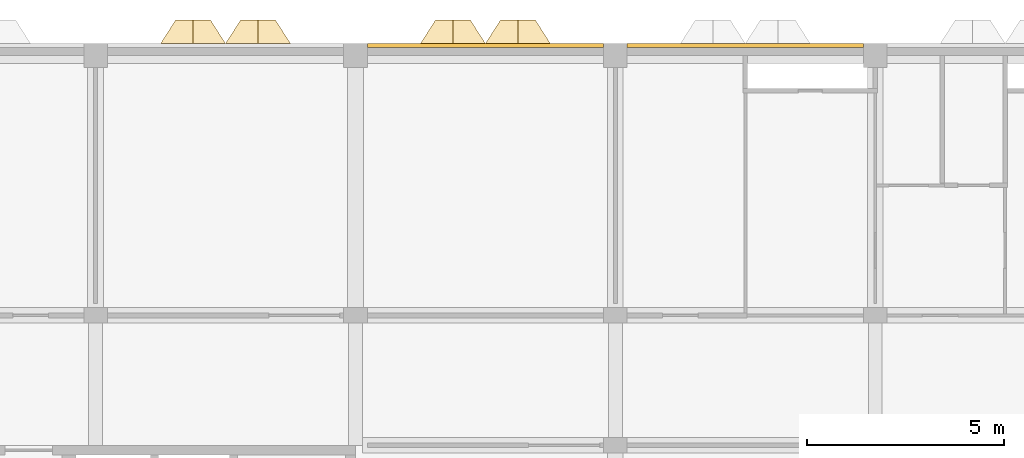
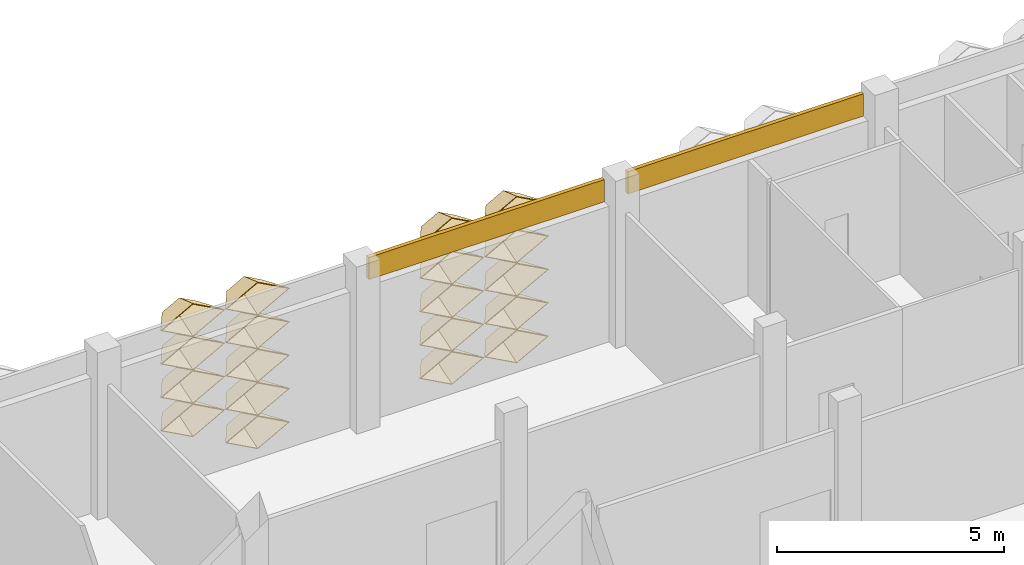
# One storey, part 96 of 102: 21 coverings.
"""IFC4 building model written with IfcOpenShell, lengths in metres."""

from ifc_helpers import new_model, entity, si_unit, direction, frame, frame_2d, origin, place, context, subcontext, project, spatial, rectangle, extrude, material, layer, layer_set, type_object, element, save


model = new_model("IFC4")

# Units and contexts
model_context = context("Model", 3, precision=1e-05, world=origin(), true_north=direction((0.0, 1.0)))
body_context = subcontext(model_context, "Body", "Model", "MODEL_VIEW")
ifc_project = project(units=[si_unit("LENGTHUNIT", "METRE"), si_unit("AREAUNIT", "SQUARE_METRE"), si_unit("VOLUMEUNIT", "CUBIC_METRE"), si_unit("PLANEANGLEUNIT", "RADIAN"), si_unit("MASSUNIT", "GRAM", prefix="KILO")], contexts=[model_context])

# Site, building, storey
site_placement = place(None, origin())
site = spatial("IfcSite", under=ifc_project, at=site_placement, CompositionType="ELEMENT")
building_placement = place(site_placement, origin())
building = spatial("IfcBuilding", under=site, at=building_placement, Name="Lantern Court Research Institute", CompositionType="ELEMENT")
storey_placement = place(building_placement, frame((0.0, 0.0, 9.89990234375)))
storey = spatial("IfcBuildingStorey", under=building, at=storey_placement, Name="L02", CompositionType="ELEMENT", Elevation=9.89990234375)

# Coverings
ifc_material_1 = material(Name="Aluminium composite panel with mineral wool insulation", Category="aluminium")
ifc_layer_1 = layer(ifc_material_1, 0.10009765625)
ifc_layer_set_1 = layer_set([ifc_layer_1], Name="Aluminium composite panel with mineral wool insulation")
covering_type_1 = type_object("IfcCoveringType", Name="Edge fascia panel 100 aluminium faced", PredefinedType="CLADDING", material=ifc_layer_set_1)
for number, where, z_axis, x_axis, name in (
    (1, (53.10009765625, 99.25, 3.650146484375), (0.0, 0.0, 1.0), (1.0, 0.0, 0.0), "Edge fascia V6N L02 08"),
    (2, (59.699951171875, 99.25, 3.650146484375), (0.0, 0.0, 1.0), (1.0, 0.0, 0.0), "Edge fascia V6N L02 09"),
):
    element("IfcCovering", number, at=place(storey_placement, frame(where, z_axis=z_axis, x_axis=x_axis)), inside=storey, type_object=covering_type_1, Name=name, PredefinedType="CLADDING", context=body_context, shape_type="SweptSolid", body=[
        extrude(rectangle(XDim=6.0, YDim=0.10009765625, at=frame_2d((3.0, 0.0))), origin(), (0.0, 0.0, 1.0), 0.599853515625),
    ])
ifc_material_2 = material(Name="Anodised aluminium", Category="aluminium")
ifc_layer_2 = layer(ifc_material_2, 0.01611328125)
ifc_layer_set_2 = layer_set([ifc_layer_2], Name="Anodised aluminium")
covering_type_2 = type_object("IfcCoveringType", Name="Fin cassette 1650 x 900 x 600 aluminium", PredefinedType="CLADDING", material=ifc_layer_set_2)
covering_1_placement = place(storey_placement, frame((50.324951171875, 99.300048828125, 0.4501953125), z_axis=(0.0, 1.0, 0.0), x_axis=(-1.0, 0.0, 0.0)))
cartesian_point_1 = entity("IfcCartesianPoint", [0.824951171875, 0.0])
cartesian_point_2 = entity("IfcCartesianPoint", [0.79150390625, 0.0])
cartesian_point_3 = entity("IfcCartesianPoint", [0.44189453125, 0.0])
cartesian_point_4 = entity("IfcCartesianPoint", [0.43359375, 0.0])
element("IfcCovering", 3, at=covering_1_placement, inside=storey, type_object=covering_type_2, Name="Fin cassette V6N-L02 1.31", PredefinedType="CLADDING", context=body_context, shape_type="SweptSolid", body=[
    entity("IfcExtrudedAreaSolidTapered", entity("IfcArbitraryProfileDefWithVoids", "AREA", None, entity("IfcPolyline", [cartesian_point_1, entity("IfcCartesianPoint", [0.0, 0.449951171875]), entity("IfcCartesianPoint", [-0.824951171875, 0.0]), entity("IfcCartesianPoint", [0.0, -0.449951171875]), cartesian_point_1]), [entity("IfcPolyline", [cartesian_point_2, entity("IfcCartesianPoint", [0.0, 0.431884765625]), entity("IfcCartesianPoint", [-0.79150390625, 0.0]), entity("IfcCartesianPoint", [0.0, -0.431884765625]), cartesian_point_2])]), entity("IfcAxis2Placement3D", entity("IfcCartesianPoint", [0.0, 0.0, 0.0])), entity("IfcDirection", [0.0, 0.0, 1.0]), 0.60009765625, entity("IfcArbitraryProfileDefWithVoids", "AREA", None, entity("IfcPolyline", [cartesian_point_3, entity("IfcCartesianPoint", [0.0, 0.240966796875]), entity("IfcCartesianPoint", [-0.44189453125, 0.0]), entity("IfcCartesianPoint", [0.0, -0.240966796875]), cartesian_point_3]), [entity("IfcPolyline", [cartesian_point_4, entity("IfcCartesianPoint", [0.0, 0.236572265625]), entity("IfcCartesianPoint", [-0.43359375, 0.0]), entity("IfcCartesianPoint", [0.0, -0.236572265625]), cartesian_point_4])])),
])
covering_2_placement = place(storey_placement, frame((55.27490234375, 99.300048828125, 0.4501953125), z_axis=(0.0, 1.0, 0.0), x_axis=(-1.0, 0.0, 0.0)))
cartesian_point_5 = entity("IfcCartesianPoint", [0.824951171875, 0.0])
cartesian_point_6 = entity("IfcCartesianPoint", [0.79150390625, 0.0])
cartesian_point_7 = entity("IfcCartesianPoint", [0.44189453125, 0.0])
cartesian_point_8 = entity("IfcCartesianPoint", [0.43359375, 0.0])
element("IfcCovering", 4, at=covering_2_placement, inside=storey, type_object=covering_type_2, Name="Fin cassette V6N-L02 1.34", PredefinedType="CLADDING", context=body_context, shape_type="SweptSolid", body=[
    entity("IfcExtrudedAreaSolidTapered", entity("IfcArbitraryProfileDefWithVoids", "AREA", None, entity("IfcPolyline", [cartesian_point_5, entity("IfcCartesianPoint", [0.0, 0.449951171875]), entity("IfcCartesianPoint", [-0.824951171875, 0.0]), entity("IfcCartesianPoint", [0.0, -0.449951171875]), cartesian_point_5]), [entity("IfcPolyline", [cartesian_point_6, entity("IfcCartesianPoint", [0.0, 0.431884765625]), entity("IfcCartesianPoint", [-0.79150390625, 0.0]), entity("IfcCartesianPoint", [0.0, -0.431884765625]), cartesian_point_6])]), entity("IfcAxis2Placement3D", entity("IfcCartesianPoint", [0.0, 0.0, 0.0])), entity("IfcDirection", [0.0, 0.0, 1.0]), 0.60009765625, entity("IfcArbitraryProfileDefWithVoids", "AREA", None, entity("IfcPolyline", [cartesian_point_7, entity("IfcCartesianPoint", [0.0, 0.240966796875]), entity("IfcCartesianPoint", [-0.44189453125, 0.0]), entity("IfcCartesianPoint", [0.0, -0.240966796875]), cartesian_point_7]), [entity("IfcPolyline", [cartesian_point_8, entity("IfcCartesianPoint", [0.0, 0.236572265625]), entity("IfcCartesianPoint", [-0.43359375, 0.0]), entity("IfcCartesianPoint", [0.0, -0.236572265625]), cartesian_point_8])])),
])
covering_3_placement = place(storey_placement, frame((56.925048828125, 99.300048828125, 0.4501953125), z_axis=(0.0, 1.0, 0.0), x_axis=(-1.0, 0.0, 0.0)))
cartesian_point_9 = entity("IfcCartesianPoint", [0.824951171875, 0.0])
cartesian_point_10 = entity("IfcCartesianPoint", [0.79150390625, 0.0])
cartesian_point_11 = entity("IfcCartesianPoint", [0.44189453125, 0.0])
cartesian_point_12 = entity("IfcCartesianPoint", [0.43359375, 0.0])
element("IfcCovering", 5, at=covering_3_placement, inside=storey, type_object=covering_type_2, Name="Fin cassette V6N-L02 1.35", PredefinedType="CLADDING", context=body_context, shape_type="SweptSolid", body=[
    entity("IfcExtrudedAreaSolidTapered", entity("IfcArbitraryProfileDefWithVoids", "AREA", None, entity("IfcPolyline", [cartesian_point_9, entity("IfcCartesianPoint", [0.0, 0.449951171875]), entity("IfcCartesianPoint", [-0.824951171875, 0.0]), entity("IfcCartesianPoint", [0.0, -0.449951171875]), cartesian_point_9]), [entity("IfcPolyline", [cartesian_point_10, entity("IfcCartesianPoint", [0.0, 0.431884765625]), entity("IfcCartesianPoint", [-0.79150390625, 0.0]), entity("IfcCartesianPoint", [0.0, -0.431884765625]), cartesian_point_10])]), entity("IfcAxis2Placement3D", entity("IfcCartesianPoint", [0.0, 0.0, 0.0])), entity("IfcDirection", [0.0, 0.0, 1.0]), 0.60009765625, entity("IfcArbitraryProfileDefWithVoids", "AREA", None, entity("IfcPolyline", [cartesian_point_11, entity("IfcCartesianPoint", [0.0, 0.240966796875]), entity("IfcCartesianPoint", [-0.44189453125, 0.0]), entity("IfcCartesianPoint", [0.0, -0.240966796875]), cartesian_point_11]), [entity("IfcPolyline", [cartesian_point_12, entity("IfcCartesianPoint", [0.0, 0.236572265625]), entity("IfcCartesianPoint", [-0.43359375, 0.0]), entity("IfcCartesianPoint", [0.0, -0.236572265625]), cartesian_point_12])])),
])
covering_4_placement = place(storey_placement, frame((48.675048828125, 99.300048828125, 1.35009765625), z_axis=(0.0, 1.0, 0.0), x_axis=(-1.0, 0.0, 0.0)))
cartesian_point_13 = entity("IfcCartesianPoint", [0.824951171875, 0.0])
cartesian_point_14 = entity("IfcCartesianPoint", [0.79150390625, 0.0])
cartesian_point_15 = entity("IfcCartesianPoint", [0.44189453125, 0.0])
cartesian_point_16 = entity("IfcCartesianPoint", [0.43359375, 0.0])
element("IfcCovering", 6, at=covering_4_placement, inside=storey, type_object=covering_type_2, Name="Fin cassette V6N-L02 2.30", PredefinedType="CLADDING", context=body_context, shape_type="SweptSolid", body=[
    entity("IfcExtrudedAreaSolidTapered", entity("IfcArbitraryProfileDefWithVoids", "AREA", None, entity("IfcPolyline", [cartesian_point_13, entity("IfcCartesianPoint", [0.0, 0.449951171875]), entity("IfcCartesianPoint", [-0.824951171875, 0.0]), entity("IfcCartesianPoint", [0.0, -0.449951171875]), cartesian_point_13]), [entity("IfcPolyline", [cartesian_point_14, entity("IfcCartesianPoint", [0.0, 0.431884765625]), entity("IfcCartesianPoint", [-0.79150390625, 0.0]), entity("IfcCartesianPoint", [0.0, -0.431884765625]), cartesian_point_14])]), entity("IfcAxis2Placement3D", entity("IfcCartesianPoint", [0.0, 0.0, 0.0])), entity("IfcDirection", [0.0, 0.0, 1.0]), 0.60009765625, entity("IfcArbitraryProfileDefWithVoids", "AREA", None, entity("IfcPolyline", [cartesian_point_15, entity("IfcCartesianPoint", [0.0, 0.240966796875]), entity("IfcCartesianPoint", [-0.44189453125, 0.0]), entity("IfcCartesianPoint", [0.0, -0.240966796875]), cartesian_point_15]), [entity("IfcPolyline", [cartesian_point_16, entity("IfcCartesianPoint", [0.0, 0.236572265625]), entity("IfcCartesianPoint", [-0.43359375, 0.0]), entity("IfcCartesianPoint", [0.0, -0.236572265625]), cartesian_point_16])])),
])
covering_5_placement = place(storey_placement, frame((50.324951171875, 99.300048828125, 1.35009765625), z_axis=(0.0, 1.0, 0.0), x_axis=(-1.0, 0.0, 0.0)))
cartesian_point_17 = entity("IfcCartesianPoint", [0.824951171875, 0.0])
cartesian_point_18 = entity("IfcCartesianPoint", [0.79150390625, 0.0])
cartesian_point_19 = entity("IfcCartesianPoint", [0.44189453125, 0.0])
cartesian_point_20 = entity("IfcCartesianPoint", [0.43359375, 0.0])
element("IfcCovering", 7, at=covering_5_placement, inside=storey, type_object=covering_type_2, Name="Fin cassette V6N-L02 2.31", PredefinedType="CLADDING", context=body_context, shape_type="SweptSolid", body=[
    entity("IfcExtrudedAreaSolidTapered", entity("IfcArbitraryProfileDefWithVoids", "AREA", None, entity("IfcPolyline", [cartesian_point_17, entity("IfcCartesianPoint", [0.0, 0.449951171875]), entity("IfcCartesianPoint", [-0.824951171875, 0.0]), entity("IfcCartesianPoint", [0.0, -0.449951171875]), cartesian_point_17]), [entity("IfcPolyline", [cartesian_point_18, entity("IfcCartesianPoint", [0.0, 0.431884765625]), entity("IfcCartesianPoint", [-0.79150390625, 0.0]), entity("IfcCartesianPoint", [0.0, -0.431884765625]), cartesian_point_18])]), entity("IfcAxis2Placement3D", entity("IfcCartesianPoint", [0.0, 0.0, 0.0])), entity("IfcDirection", [0.0, 0.0, 1.0]), 0.60009765625, entity("IfcArbitraryProfileDefWithVoids", "AREA", None, entity("IfcPolyline", [cartesian_point_19, entity("IfcCartesianPoint", [0.0, 0.240966796875]), entity("IfcCartesianPoint", [-0.44189453125, 0.0]), entity("IfcCartesianPoint", [0.0, -0.240966796875]), cartesian_point_19]), [entity("IfcPolyline", [cartesian_point_20, entity("IfcCartesianPoint", [0.0, 0.236572265625]), entity("IfcCartesianPoint", [-0.43359375, 0.0]), entity("IfcCartesianPoint", [0.0, -0.236572265625]), cartesian_point_20])])),
])
covering_6_placement = place(storey_placement, frame((55.27490234375, 99.300048828125, 1.35009765625), z_axis=(0.0, 1.0, 0.0), x_axis=(-1.0, 0.0, 0.0)))
cartesian_point_21 = entity("IfcCartesianPoint", [0.824951171875, 0.0])
cartesian_point_22 = entity("IfcCartesianPoint", [0.79150390625, 0.0])
cartesian_point_23 = entity("IfcCartesianPoint", [0.44189453125, 0.0])
cartesian_point_24 = entity("IfcCartesianPoint", [0.43359375, 0.0])
element("IfcCovering", 8, at=covering_6_placement, inside=storey, type_object=covering_type_2, Name="Fin cassette V6N-L02 2.34", PredefinedType="CLADDING", context=body_context, shape_type="SweptSolid", body=[
    entity("IfcExtrudedAreaSolidTapered", entity("IfcArbitraryProfileDefWithVoids", "AREA", None, entity("IfcPolyline", [cartesian_point_21, entity("IfcCartesianPoint", [0.0, 0.449951171875]), entity("IfcCartesianPoint", [-0.824951171875, 0.0]), entity("IfcCartesianPoint", [0.0, -0.449951171875]), cartesian_point_21]), [entity("IfcPolyline", [cartesian_point_22, entity("IfcCartesianPoint", [0.0, 0.431884765625]), entity("IfcCartesianPoint", [-0.79150390625, 0.0]), entity("IfcCartesianPoint", [0.0, -0.431884765625]), cartesian_point_22])]), entity("IfcAxis2Placement3D", entity("IfcCartesianPoint", [0.0, 0.0, 0.0])), entity("IfcDirection", [0.0, 0.0, 1.0]), 0.60009765625, entity("IfcArbitraryProfileDefWithVoids", "AREA", None, entity("IfcPolyline", [cartesian_point_23, entity("IfcCartesianPoint", [0.0, 0.240966796875]), entity("IfcCartesianPoint", [-0.44189453125, 0.0]), entity("IfcCartesianPoint", [0.0, -0.240966796875]), cartesian_point_23]), [entity("IfcPolyline", [cartesian_point_24, entity("IfcCartesianPoint", [0.0, 0.236572265625]), entity("IfcCartesianPoint", [-0.43359375, 0.0]), entity("IfcCartesianPoint", [0.0, -0.236572265625]), cartesian_point_24])])),
])
covering_7_placement = place(storey_placement, frame((56.925048828125, 99.300048828125, 1.35009765625), z_axis=(0.0, 1.0, 0.0), x_axis=(-1.0, 0.0, 0.0)))
cartesian_point_25 = entity("IfcCartesianPoint", [0.824951171875, 0.0])
cartesian_point_26 = entity("IfcCartesianPoint", [0.79150390625, 0.0])
cartesian_point_27 = entity("IfcCartesianPoint", [0.44189453125, 0.0])
cartesian_point_28 = entity("IfcCartesianPoint", [0.43359375, 0.0])
element("IfcCovering", 9, at=covering_7_placement, inside=storey, type_object=covering_type_2, Name="Fin cassette V6N-L02 2.35", PredefinedType="CLADDING", context=body_context, shape_type="SweptSolid", body=[
    entity("IfcExtrudedAreaSolidTapered", entity("IfcArbitraryProfileDefWithVoids", "AREA", None, entity("IfcPolyline", [cartesian_point_25, entity("IfcCartesianPoint", [0.0, 0.449951171875]), entity("IfcCartesianPoint", [-0.824951171875, 0.0]), entity("IfcCartesianPoint", [0.0, -0.449951171875]), cartesian_point_25]), [entity("IfcPolyline", [cartesian_point_26, entity("IfcCartesianPoint", [0.0, 0.431884765625]), entity("IfcCartesianPoint", [-0.79150390625, 0.0]), entity("IfcCartesianPoint", [0.0, -0.431884765625]), cartesian_point_26])]), entity("IfcAxis2Placement3D", entity("IfcCartesianPoint", [0.0, 0.0, 0.0])), entity("IfcDirection", [0.0, 0.0, 1.0]), 0.60009765625, entity("IfcArbitraryProfileDefWithVoids", "AREA", None, entity("IfcPolyline", [cartesian_point_27, entity("IfcCartesianPoint", [0.0, 0.240966796875]), entity("IfcCartesianPoint", [-0.44189453125, 0.0]), entity("IfcCartesianPoint", [0.0, -0.240966796875]), cartesian_point_27]), [entity("IfcPolyline", [cartesian_point_28, entity("IfcCartesianPoint", [0.0, 0.236572265625]), entity("IfcCartesianPoint", [-0.43359375, 0.0]), entity("IfcCartesianPoint", [0.0, -0.236572265625]), cartesian_point_28])])),
])
covering_8_placement = place(storey_placement, frame((48.675048828125, 99.300048828125, 2.25), z_axis=(0.0, 1.0, 0.0), x_axis=(-1.0, 0.0, 0.0)))
cartesian_point_29 = entity("IfcCartesianPoint", [0.824951171875, 0.0])
cartesian_point_30 = entity("IfcCartesianPoint", [0.79150390625, 0.0])
cartesian_point_31 = entity("IfcCartesianPoint", [0.44189453125, 0.0])
cartesian_point_32 = entity("IfcCartesianPoint", [0.43359375, 0.0])
element("IfcCovering", 10, at=covering_8_placement, inside=storey, type_object=covering_type_2, Name="Fin cassette V6N-L02 3.30", PredefinedType="CLADDING", context=body_context, shape_type="SweptSolid", body=[
    entity("IfcExtrudedAreaSolidTapered", entity("IfcArbitraryProfileDefWithVoids", "AREA", None, entity("IfcPolyline", [cartesian_point_29, entity("IfcCartesianPoint", [0.0, 0.449951171875]), entity("IfcCartesianPoint", [-0.824951171875, 0.0]), entity("IfcCartesianPoint", [0.0, -0.449951171875]), cartesian_point_29]), [entity("IfcPolyline", [cartesian_point_30, entity("IfcCartesianPoint", [0.0, 0.431884765625]), entity("IfcCartesianPoint", [-0.79150390625, 0.0]), entity("IfcCartesianPoint", [0.0, -0.431884765625]), cartesian_point_30])]), entity("IfcAxis2Placement3D", entity("IfcCartesianPoint", [0.0, 0.0, 0.0])), entity("IfcDirection", [0.0, 0.0, 1.0]), 0.60009765625, entity("IfcArbitraryProfileDefWithVoids", "AREA", None, entity("IfcPolyline", [cartesian_point_31, entity("IfcCartesianPoint", [0.0, 0.240966796875]), entity("IfcCartesianPoint", [-0.44189453125, 0.0]), entity("IfcCartesianPoint", [0.0, -0.240966796875]), cartesian_point_31]), [entity("IfcPolyline", [cartesian_point_32, entity("IfcCartesianPoint", [0.0, 0.236572265625]), entity("IfcCartesianPoint", [-0.43359375, 0.0]), entity("IfcCartesianPoint", [0.0, -0.236572265625]), cartesian_point_32])])),
])
covering_9_placement = place(storey_placement, frame((50.324951171875, 99.300048828125, 2.25), z_axis=(0.0, 1.0, 0.0), x_axis=(-1.0, 0.0, 0.0)))
cartesian_point_33 = entity("IfcCartesianPoint", [0.824951171875, 0.0])
cartesian_point_34 = entity("IfcCartesianPoint", [0.79150390625, 0.0])
cartesian_point_35 = entity("IfcCartesianPoint", [0.44189453125, 0.0])
cartesian_point_36 = entity("IfcCartesianPoint", [0.43359375, 0.0])
element("IfcCovering", 11, at=covering_9_placement, inside=storey, type_object=covering_type_2, Name="Fin cassette V6N-L02 3.31", PredefinedType="CLADDING", context=body_context, shape_type="SweptSolid", body=[
    entity("IfcExtrudedAreaSolidTapered", entity("IfcArbitraryProfileDefWithVoids", "AREA", None, entity("IfcPolyline", [cartesian_point_33, entity("IfcCartesianPoint", [0.0, 0.449951171875]), entity("IfcCartesianPoint", [-0.824951171875, 0.0]), entity("IfcCartesianPoint", [0.0, -0.449951171875]), cartesian_point_33]), [entity("IfcPolyline", [cartesian_point_34, entity("IfcCartesianPoint", [0.0, 0.431884765625]), entity("IfcCartesianPoint", [-0.79150390625, 0.0]), entity("IfcCartesianPoint", [0.0, -0.431884765625]), cartesian_point_34])]), entity("IfcAxis2Placement3D", entity("IfcCartesianPoint", [0.0, 0.0, 0.0])), entity("IfcDirection", [0.0, 0.0, 1.0]), 0.60009765625, entity("IfcArbitraryProfileDefWithVoids", "AREA", None, entity("IfcPolyline", [cartesian_point_35, entity("IfcCartesianPoint", [0.0, 0.240966796875]), entity("IfcCartesianPoint", [-0.44189453125, 0.0]), entity("IfcCartesianPoint", [0.0, -0.240966796875]), cartesian_point_35]), [entity("IfcPolyline", [cartesian_point_36, entity("IfcCartesianPoint", [0.0, 0.236572265625]), entity("IfcCartesianPoint", [-0.43359375, 0.0]), entity("IfcCartesianPoint", [0.0, -0.236572265625]), cartesian_point_36])])),
])
covering_10_placement = place(storey_placement, frame((55.27490234375, 99.300048828125, 2.25), z_axis=(0.0, 1.0, 0.0), x_axis=(-1.0, 0.0, 0.0)))
cartesian_point_37 = entity("IfcCartesianPoint", [0.824951171875, 0.0])
cartesian_point_38 = entity("IfcCartesianPoint", [0.79150390625, 0.0])
cartesian_point_39 = entity("IfcCartesianPoint", [0.44189453125, 0.0])
cartesian_point_40 = entity("IfcCartesianPoint", [0.43359375, 0.0])
element("IfcCovering", 12, at=covering_10_placement, inside=storey, type_object=covering_type_2, Name="Fin cassette V6N-L02 3.34", PredefinedType="CLADDING", context=body_context, shape_type="SweptSolid", body=[
    entity("IfcExtrudedAreaSolidTapered", entity("IfcArbitraryProfileDefWithVoids", "AREA", None, entity("IfcPolyline", [cartesian_point_37, entity("IfcCartesianPoint", [0.0, 0.449951171875]), entity("IfcCartesianPoint", [-0.824951171875, 0.0]), entity("IfcCartesianPoint", [0.0, -0.449951171875]), cartesian_point_37]), [entity("IfcPolyline", [cartesian_point_38, entity("IfcCartesianPoint", [0.0, 0.431884765625]), entity("IfcCartesianPoint", [-0.79150390625, 0.0]), entity("IfcCartesianPoint", [0.0, -0.431884765625]), cartesian_point_38])]), entity("IfcAxis2Placement3D", entity("IfcCartesianPoint", [0.0, 0.0, 0.0])), entity("IfcDirection", [0.0, 0.0, 1.0]), 0.60009765625, entity("IfcArbitraryProfileDefWithVoids", "AREA", None, entity("IfcPolyline", [cartesian_point_39, entity("IfcCartesianPoint", [0.0, 0.240966796875]), entity("IfcCartesianPoint", [-0.44189453125, 0.0]), entity("IfcCartesianPoint", [0.0, -0.240966796875]), cartesian_point_39]), [entity("IfcPolyline", [cartesian_point_40, entity("IfcCartesianPoint", [0.0, 0.236572265625]), entity("IfcCartesianPoint", [-0.43359375, 0.0]), entity("IfcCartesianPoint", [0.0, -0.236572265625]), cartesian_point_40])])),
])
covering_11_placement = place(storey_placement, frame((56.925048828125, 99.300048828125, 2.25), z_axis=(0.0, 1.0, 0.0), x_axis=(-1.0, 0.0, 0.0)))
cartesian_point_41 = entity("IfcCartesianPoint", [0.824951171875, 0.0])
cartesian_point_42 = entity("IfcCartesianPoint", [0.79150390625, 0.0])
cartesian_point_43 = entity("IfcCartesianPoint", [0.44189453125, 0.0])
cartesian_point_44 = entity("IfcCartesianPoint", [0.43359375, 0.0])
element("IfcCovering", 13, at=covering_11_placement, inside=storey, type_object=covering_type_2, Name="Fin cassette V6N-L02 3.35", PredefinedType="CLADDING", context=body_context, shape_type="SweptSolid", body=[
    entity("IfcExtrudedAreaSolidTapered", entity("IfcArbitraryProfileDefWithVoids", "AREA", None, entity("IfcPolyline", [cartesian_point_41, entity("IfcCartesianPoint", [0.0, 0.449951171875]), entity("IfcCartesianPoint", [-0.824951171875, 0.0]), entity("IfcCartesianPoint", [0.0, -0.449951171875]), cartesian_point_41]), [entity("IfcPolyline", [cartesian_point_42, entity("IfcCartesianPoint", [0.0, 0.431884765625]), entity("IfcCartesianPoint", [-0.79150390625, 0.0]), entity("IfcCartesianPoint", [0.0, -0.431884765625]), cartesian_point_42])]), entity("IfcAxis2Placement3D", entity("IfcCartesianPoint", [0.0, 0.0, 0.0])), entity("IfcDirection", [0.0, 0.0, 1.0]), 0.60009765625, entity("IfcArbitraryProfileDefWithVoids", "AREA", None, entity("IfcPolyline", [cartesian_point_43, entity("IfcCartesianPoint", [0.0, 0.240966796875]), entity("IfcCartesianPoint", [-0.44189453125, 0.0]), entity("IfcCartesianPoint", [0.0, -0.240966796875]), cartesian_point_43]), [entity("IfcPolyline", [cartesian_point_44, entity("IfcCartesianPoint", [0.0, 0.236572265625]), entity("IfcCartesianPoint", [-0.43359375, 0.0]), entity("IfcCartesianPoint", [0.0, -0.236572265625]), cartesian_point_44])])),
])
covering_12_placement = place(storey_placement, frame((48.675048828125, 99.300048828125, 3.150146484375), z_axis=(0.0, 1.0, 0.0), x_axis=(-1.0, 0.0, 0.0)))
cartesian_point_45 = entity("IfcCartesianPoint", [0.824951171875, 0.0])
cartesian_point_46 = entity("IfcCartesianPoint", [0.79150390625, 0.0])
cartesian_point_47 = entity("IfcCartesianPoint", [0.44189453125, 0.0])
cartesian_point_48 = entity("IfcCartesianPoint", [0.43359375, 0.0])
element("IfcCovering", 14, at=covering_12_placement, inside=storey, type_object=covering_type_2, Name="Fin cassette V6N-L02 4.30", PredefinedType="CLADDING", context=body_context, shape_type="SweptSolid", body=[
    entity("IfcExtrudedAreaSolidTapered", entity("IfcArbitraryProfileDefWithVoids", "AREA", None, entity("IfcPolyline", [cartesian_point_45, entity("IfcCartesianPoint", [0.0, 0.449951171875]), entity("IfcCartesianPoint", [-0.824951171875, 0.0]), entity("IfcCartesianPoint", [0.0, -0.449951171875]), cartesian_point_45]), [entity("IfcPolyline", [cartesian_point_46, entity("IfcCartesianPoint", [0.0, 0.431884765625]), entity("IfcCartesianPoint", [-0.79150390625, 0.0]), entity("IfcCartesianPoint", [0.0, -0.431884765625]), cartesian_point_46])]), entity("IfcAxis2Placement3D", entity("IfcCartesianPoint", [0.0, 0.0, 0.0])), entity("IfcDirection", [0.0, 0.0, 1.0]), 0.60009765625, entity("IfcArbitraryProfileDefWithVoids", "AREA", None, entity("IfcPolyline", [cartesian_point_47, entity("IfcCartesianPoint", [0.0, 0.240966796875]), entity("IfcCartesianPoint", [-0.44189453125, 0.0]), entity("IfcCartesianPoint", [0.0, -0.240966796875]), cartesian_point_47]), [entity("IfcPolyline", [cartesian_point_48, entity("IfcCartesianPoint", [0.0, 0.236572265625]), entity("IfcCartesianPoint", [-0.43359375, 0.0]), entity("IfcCartesianPoint", [0.0, -0.236572265625]), cartesian_point_48])])),
])
covering_13_placement = place(storey_placement, frame((50.324951171875, 99.300048828125, 3.150146484375), z_axis=(0.0, 1.0, 0.0), x_axis=(-1.0, 0.0, 0.0)))
cartesian_point_49 = entity("IfcCartesianPoint", [0.824951171875, 0.0])
cartesian_point_50 = entity("IfcCartesianPoint", [0.79150390625, 0.0])
cartesian_point_51 = entity("IfcCartesianPoint", [0.44189453125, 0.0])
cartesian_point_52 = entity("IfcCartesianPoint", [0.43359375, 0.0])
element("IfcCovering", 15, at=covering_13_placement, inside=storey, type_object=covering_type_2, Name="Fin cassette V6N-L02 4.31", PredefinedType="CLADDING", context=body_context, shape_type="SweptSolid", body=[
    entity("IfcExtrudedAreaSolidTapered", entity("IfcArbitraryProfileDefWithVoids", "AREA", None, entity("IfcPolyline", [cartesian_point_49, entity("IfcCartesianPoint", [0.0, 0.449951171875]), entity("IfcCartesianPoint", [-0.824951171875, 0.0]), entity("IfcCartesianPoint", [0.0, -0.449951171875]), cartesian_point_49]), [entity("IfcPolyline", [cartesian_point_50, entity("IfcCartesianPoint", [0.0, 0.431884765625]), entity("IfcCartesianPoint", [-0.79150390625, 0.0]), entity("IfcCartesianPoint", [0.0, -0.431884765625]), cartesian_point_50])]), entity("IfcAxis2Placement3D", entity("IfcCartesianPoint", [0.0, 0.0, 0.0])), entity("IfcDirection", [0.0, 0.0, 1.0]), 0.60009765625, entity("IfcArbitraryProfileDefWithVoids", "AREA", None, entity("IfcPolyline", [cartesian_point_51, entity("IfcCartesianPoint", [0.0, 0.240966796875]), entity("IfcCartesianPoint", [-0.44189453125, 0.0]), entity("IfcCartesianPoint", [0.0, -0.240966796875]), cartesian_point_51]), [entity("IfcPolyline", [cartesian_point_52, entity("IfcCartesianPoint", [0.0, 0.236572265625]), entity("IfcCartesianPoint", [-0.43359375, 0.0]), entity("IfcCartesianPoint", [0.0, -0.236572265625]), cartesian_point_52])])),
])
covering_14_placement = place(storey_placement, frame((55.27490234375, 99.300048828125, 3.150146484375), z_axis=(0.0, 1.0, 0.0), x_axis=(-1.0, 0.0, 0.0)))
cartesian_point_53 = entity("IfcCartesianPoint", [0.824951171875, 0.0])
cartesian_point_54 = entity("IfcCartesianPoint", [0.79150390625, 0.0])
cartesian_point_55 = entity("IfcCartesianPoint", [0.44189453125, 0.0])
cartesian_point_56 = entity("IfcCartesianPoint", [0.43359375, 0.0])
element("IfcCovering", 16, at=covering_14_placement, inside=storey, type_object=covering_type_2, Name="Fin cassette V6N-L02 4.34", PredefinedType="CLADDING", context=body_context, shape_type="SweptSolid", body=[
    entity("IfcExtrudedAreaSolidTapered", entity("IfcArbitraryProfileDefWithVoids", "AREA", None, entity("IfcPolyline", [cartesian_point_53, entity("IfcCartesianPoint", [0.0, 0.449951171875]), entity("IfcCartesianPoint", [-0.824951171875, 0.0]), entity("IfcCartesianPoint", [0.0, -0.449951171875]), cartesian_point_53]), [entity("IfcPolyline", [cartesian_point_54, entity("IfcCartesianPoint", [0.0, 0.431884765625]), entity("IfcCartesianPoint", [-0.79150390625, 0.0]), entity("IfcCartesianPoint", [0.0, -0.431884765625]), cartesian_point_54])]), entity("IfcAxis2Placement3D", entity("IfcCartesianPoint", [0.0, 0.0, 0.0])), entity("IfcDirection", [0.0, 0.0, 1.0]), 0.60009765625, entity("IfcArbitraryProfileDefWithVoids", "AREA", None, entity("IfcPolyline", [cartesian_point_55, entity("IfcCartesianPoint", [0.0, 0.240966796875]), entity("IfcCartesianPoint", [-0.44189453125, 0.0]), entity("IfcCartesianPoint", [0.0, -0.240966796875]), cartesian_point_55]), [entity("IfcPolyline", [cartesian_point_56, entity("IfcCartesianPoint", [0.0, 0.236572265625]), entity("IfcCartesianPoint", [-0.43359375, 0.0]), entity("IfcCartesianPoint", [0.0, -0.236572265625]), cartesian_point_56])])),
])
covering_15_placement = place(storey_placement, frame((56.925048828125, 99.300048828125, 3.150146484375), z_axis=(0.0, 1.0, 0.0), x_axis=(-1.0, 0.0, 0.0)))
cartesian_point_57 = entity("IfcCartesianPoint", [0.824951171875, 0.0])
cartesian_point_58 = entity("IfcCartesianPoint", [0.79150390625, 0.0])
cartesian_point_59 = entity("IfcCartesianPoint", [0.44189453125, 0.0])
cartesian_point_60 = entity("IfcCartesianPoint", [0.43359375, 0.0])
element("IfcCovering", 17, at=covering_15_placement, inside=storey, type_object=covering_type_2, Name="Fin cassette V6N-L02 4.35", PredefinedType="CLADDING", context=body_context, shape_type="SweptSolid", body=[
    entity("IfcExtrudedAreaSolidTapered", entity("IfcArbitraryProfileDefWithVoids", "AREA", None, entity("IfcPolyline", [cartesian_point_57, entity("IfcCartesianPoint", [0.0, 0.449951171875]), entity("IfcCartesianPoint", [-0.824951171875, 0.0]), entity("IfcCartesianPoint", [0.0, -0.449951171875]), cartesian_point_57]), [entity("IfcPolyline", [cartesian_point_58, entity("IfcCartesianPoint", [0.0, 0.431884765625]), entity("IfcCartesianPoint", [-0.79150390625, 0.0]), entity("IfcCartesianPoint", [0.0, -0.431884765625]), cartesian_point_58])]), entity("IfcAxis2Placement3D", entity("IfcCartesianPoint", [0.0, 0.0, 0.0])), entity("IfcDirection", [0.0, 0.0, 1.0]), 0.60009765625, entity("IfcArbitraryProfileDefWithVoids", "AREA", None, entity("IfcPolyline", [cartesian_point_59, entity("IfcCartesianPoint", [0.0, 0.240966796875]), entity("IfcCartesianPoint", [-0.44189453125, 0.0]), entity("IfcCartesianPoint", [0.0, -0.240966796875]), cartesian_point_59]), [entity("IfcPolyline", [cartesian_point_60, entity("IfcCartesianPoint", [0.0, 0.236572265625]), entity("IfcCartesianPoint", [-0.43359375, 0.0]), entity("IfcCartesianPoint", [0.0, -0.236572265625]), cartesian_point_60])])),
])
covering_16_placement = place(storey_placement, frame((48.675048828125, 99.300048828125, 4.050048828125), z_axis=(0.0, 1.0, 0.0), x_axis=(-1.0, 0.0, 0.0)))
cartesian_point_61 = entity("IfcCartesianPoint", [0.824951171875, 0.0])
cartesian_point_62 = entity("IfcCartesianPoint", [0.79150390625, 0.0])
cartesian_point_63 = entity("IfcCartesianPoint", [0.44189453125, 0.0])
cartesian_point_64 = entity("IfcCartesianPoint", [0.43359375, 0.0])
element("IfcCovering", 18, at=covering_16_placement, inside=storey, type_object=covering_type_2, Name="Fin cassette V6N-L02 5.30", PredefinedType="CLADDING", context=body_context, shape_type="SweptSolid", body=[
    entity("IfcExtrudedAreaSolidTapered", entity("IfcArbitraryProfileDefWithVoids", "AREA", None, entity("IfcPolyline", [cartesian_point_61, entity("IfcCartesianPoint", [0.0, 0.449951171875]), entity("IfcCartesianPoint", [-0.824951171875, 0.0]), entity("IfcCartesianPoint", [0.0, -0.449951171875]), cartesian_point_61]), [entity("IfcPolyline", [cartesian_point_62, entity("IfcCartesianPoint", [0.0, 0.431884765625]), entity("IfcCartesianPoint", [-0.79150390625, 0.0]), entity("IfcCartesianPoint", [0.0, -0.431884765625]), cartesian_point_62])]), entity("IfcAxis2Placement3D", entity("IfcCartesianPoint", [0.0, 0.0, 0.0])), entity("IfcDirection", [0.0, 0.0, 1.0]), 0.60009765625, entity("IfcArbitraryProfileDefWithVoids", "AREA", None, entity("IfcPolyline", [cartesian_point_63, entity("IfcCartesianPoint", [0.0, 0.240966796875]), entity("IfcCartesianPoint", [-0.44189453125, 0.0]), entity("IfcCartesianPoint", [0.0, -0.240966796875]), cartesian_point_63]), [entity("IfcPolyline", [cartesian_point_64, entity("IfcCartesianPoint", [0.0, 0.236572265625]), entity("IfcCartesianPoint", [-0.43359375, 0.0]), entity("IfcCartesianPoint", [0.0, -0.236572265625]), cartesian_point_64])])),
])
covering_17_placement = place(storey_placement, frame((50.324951171875, 99.300048828125, 4.050048828125), z_axis=(0.0, 1.0, 0.0), x_axis=(-1.0, 0.0, 0.0)))
cartesian_point_65 = entity("IfcCartesianPoint", [0.824951171875, 0.0])
cartesian_point_66 = entity("IfcCartesianPoint", [0.79150390625, 0.0])
cartesian_point_67 = entity("IfcCartesianPoint", [0.44189453125, 0.0])
cartesian_point_68 = entity("IfcCartesianPoint", [0.43359375, 0.0])
element("IfcCovering", 19, at=covering_17_placement, inside=storey, type_object=covering_type_2, Name="Fin cassette V6N-L02 5.31", PredefinedType="CLADDING", context=body_context, shape_type="SweptSolid", body=[
    entity("IfcExtrudedAreaSolidTapered", entity("IfcArbitraryProfileDefWithVoids", "AREA", None, entity("IfcPolyline", [cartesian_point_65, entity("IfcCartesianPoint", [0.0, 0.449951171875]), entity("IfcCartesianPoint", [-0.824951171875, 0.0]), entity("IfcCartesianPoint", [0.0, -0.449951171875]), cartesian_point_65]), [entity("IfcPolyline", [cartesian_point_66, entity("IfcCartesianPoint", [0.0, 0.431884765625]), entity("IfcCartesianPoint", [-0.79150390625, 0.0]), entity("IfcCartesianPoint", [0.0, -0.431884765625]), cartesian_point_66])]), entity("IfcAxis2Placement3D", entity("IfcCartesianPoint", [0.0, 0.0, 0.0])), entity("IfcDirection", [0.0, 0.0, 1.0]), 0.60009765625, entity("IfcArbitraryProfileDefWithVoids", "AREA", None, entity("IfcPolyline", [cartesian_point_67, entity("IfcCartesianPoint", [0.0, 0.240966796875]), entity("IfcCartesianPoint", [-0.44189453125, 0.0]), entity("IfcCartesianPoint", [0.0, -0.240966796875]), cartesian_point_67]), [entity("IfcPolyline", [cartesian_point_68, entity("IfcCartesianPoint", [0.0, 0.236572265625]), entity("IfcCartesianPoint", [-0.43359375, 0.0]), entity("IfcCartesianPoint", [0.0, -0.236572265625]), cartesian_point_68])])),
])
covering_18_placement = place(storey_placement, frame((55.27490234375, 99.300048828125, 4.050048828125), z_axis=(0.0, 1.0, 0.0), x_axis=(-1.0, 0.0, 0.0)))
cartesian_point_69 = entity("IfcCartesianPoint", [0.824951171875, 0.0])
cartesian_point_70 = entity("IfcCartesianPoint", [0.79150390625, 0.0])
cartesian_point_71 = entity("IfcCartesianPoint", [0.44189453125, 0.0])
cartesian_point_72 = entity("IfcCartesianPoint", [0.43359375, 0.0])
element("IfcCovering", 20, at=covering_18_placement, inside=storey, type_object=covering_type_2, Name="Fin cassette V6N-L02 5.34", PredefinedType="CLADDING", context=body_context, shape_type="SweptSolid", body=[
    entity("IfcExtrudedAreaSolidTapered", entity("IfcArbitraryProfileDefWithVoids", "AREA", None, entity("IfcPolyline", [cartesian_point_69, entity("IfcCartesianPoint", [0.0, 0.449951171875]), entity("IfcCartesianPoint", [-0.824951171875, 0.0]), entity("IfcCartesianPoint", [0.0, -0.449951171875]), cartesian_point_69]), [entity("IfcPolyline", [cartesian_point_70, entity("IfcCartesianPoint", [0.0, 0.431884765625]), entity("IfcCartesianPoint", [-0.79150390625, 0.0]), entity("IfcCartesianPoint", [0.0, -0.431884765625]), cartesian_point_70])]), entity("IfcAxis2Placement3D", entity("IfcCartesianPoint", [0.0, 0.0, 0.0])), entity("IfcDirection", [0.0, 0.0, 1.0]), 0.60009765625, entity("IfcArbitraryProfileDefWithVoids", "AREA", None, entity("IfcPolyline", [cartesian_point_71, entity("IfcCartesianPoint", [0.0, 0.240966796875]), entity("IfcCartesianPoint", [-0.44189453125, 0.0]), entity("IfcCartesianPoint", [0.0, -0.240966796875]), cartesian_point_71]), [entity("IfcPolyline", [cartesian_point_72, entity("IfcCartesianPoint", [0.0, 0.236572265625]), entity("IfcCartesianPoint", [-0.43359375, 0.0]), entity("IfcCartesianPoint", [0.0, -0.236572265625]), cartesian_point_72])])),
])
covering_19_placement = place(storey_placement, frame((56.925048828125, 99.300048828125, 4.050048828125), z_axis=(0.0, 1.0, 0.0), x_axis=(-1.0, 0.0, 0.0)))
cartesian_point_73 = entity("IfcCartesianPoint", [0.824951171875, 0.0])
cartesian_point_74 = entity("IfcCartesianPoint", [0.79150390625, 0.0])
cartesian_point_75 = entity("IfcCartesianPoint", [0.44189453125, 0.0])
cartesian_point_76 = entity("IfcCartesianPoint", [0.43359375, 0.0])
element("IfcCovering", 21, at=covering_19_placement, inside=storey, type_object=covering_type_2, Name="Fin cassette V6N-L02 5.35", PredefinedType="CLADDING", context=body_context, shape_type="SweptSolid", body=[
    entity("IfcExtrudedAreaSolidTapered", entity("IfcArbitraryProfileDefWithVoids", "AREA", None, entity("IfcPolyline", [cartesian_point_73, entity("IfcCartesianPoint", [0.0, 0.449951171875]), entity("IfcCartesianPoint", [-0.824951171875, 0.0]), entity("IfcCartesianPoint", [0.0, -0.449951171875]), cartesian_point_73]), [entity("IfcPolyline", [cartesian_point_74, entity("IfcCartesianPoint", [0.0, 0.431884765625]), entity("IfcCartesianPoint", [-0.79150390625, 0.0]), entity("IfcCartesianPoint", [0.0, -0.431884765625]), cartesian_point_74])]), entity("IfcAxis2Placement3D", entity("IfcCartesianPoint", [0.0, 0.0, 0.0])), entity("IfcDirection", [0.0, 0.0, 1.0]), 0.60009765625, entity("IfcArbitraryProfileDefWithVoids", "AREA", None, entity("IfcPolyline", [cartesian_point_75, entity("IfcCartesianPoint", [0.0, 0.240966796875]), entity("IfcCartesianPoint", [-0.44189453125, 0.0]), entity("IfcCartesianPoint", [0.0, -0.240966796875]), cartesian_point_75]), [entity("IfcPolyline", [cartesian_point_76, entity("IfcCartesianPoint", [0.0, 0.236572265625]), entity("IfcCartesianPoint", [-0.43359375, 0.0]), entity("IfcCartesianPoint", [0.0, -0.236572265625]), cartesian_point_76])])),
])

save(model, "model.ifc")
